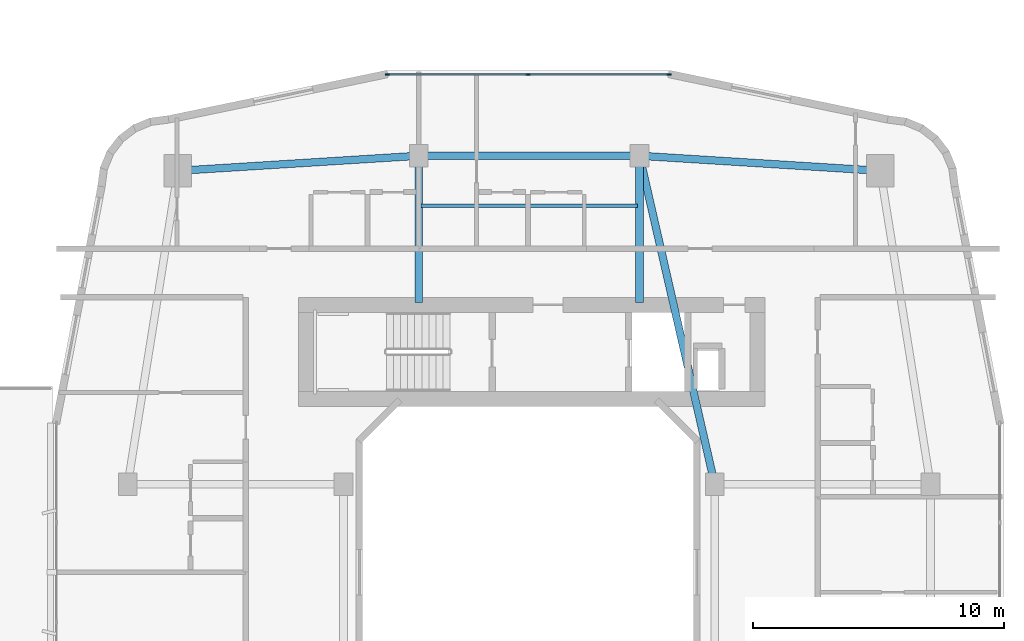
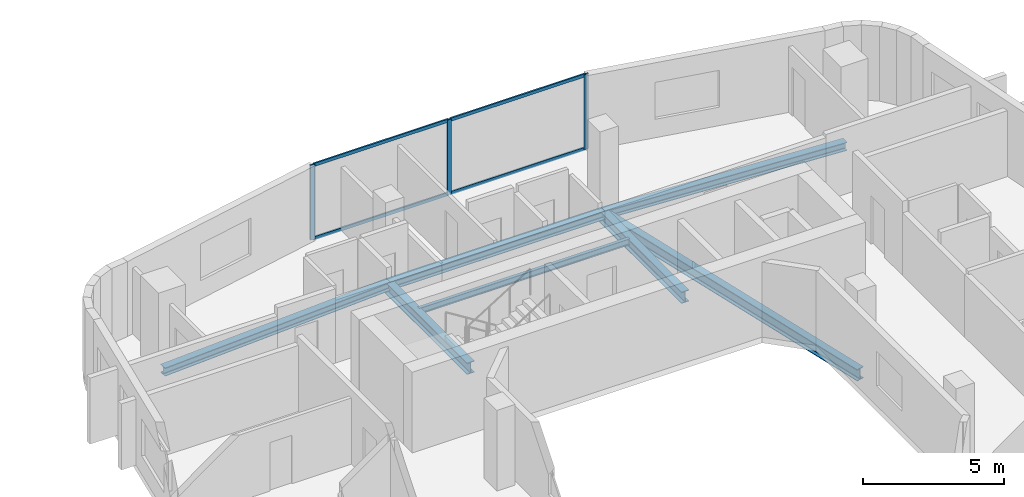
# One storey, part 10 of 25: 7 beams, 7 members, 1 element without a shape of its own.
"""IFC4 building model written with IfcOpenShell, lengths in metres."""

from ifc_helpers import new_model, si_unit, derived_unit, direction, frame, origin, origin_2d, place, context, subcontext, project, spatial, rectangle, i_section, extrude, material, layer, layer_set, material_profile, profile_set, type_object, element, aggregate, save


model = new_model("IFC4")

# Units and contexts
model_context = context("Model", 3, precision=1e-05, world=origin(), true_north=direction((0.0, 1.0)))
body_context = subcontext(model_context, "Body", "Model", "MODEL_VIEW")
ifc_project = project(units=[si_unit("LENGTHUNIT", "METRE"), si_unit("AREAUNIT", "SQUARE_METRE"), si_unit("VOLUMEUNIT", "CUBIC_METRE"), si_unit("PLANEANGLEUNIT", "RADIAN"), si_unit("MASSUNIT", "GRAM", prefix="KILO"), derived_unit("THERMALTRANSMITTANCEUNIT", [(si_unit("POWERUNIT", "WATT"), 1), (si_unit("LENGTHUNIT", "METRE"), -2), (si_unit("THERMODYNAMICTEMPERATUREUNIT", "KELVIN"), -1)])], contexts=[model_context])

# Site, building, storey
site_placement = place(None, origin())
site = spatial("IfcSite", under=ifc_project, at=site_placement, CompositionType="ELEMENT")
building_placement = place(site_placement, origin())
building = spatial("IfcBuilding", under=site, at=building_placement, Name="Kivonza Crest Hotel", CompositionType="ELEMENT")
storey_placement = place(building_placement, frame((0.0, 0.0, 24.0)))
storey = spatial("IfcBuildingStorey", under=building, at=storey_placement, Name="L05", CompositionType="ELEMENT", Elevation=24.0)

# Beams
ifc_material_1 = material(Name="Steel S355", Category="steel")
ifc_material_profile_1 = material_profile(ifc_material_1, i_section(OverallWidth=0.300048828125, OverallDepth=0.360107421875, WebThickness=0.012451171875, FlangeThickness=0.0224609375, FilletRadius=0.027099609375, at=origin_2d()), Name="HEB 360")
ifc_profile_set_1 = profile_set([ifc_material_profile_1], Name="Steel S355")
beam_type_1 = type_object("IfcBeamType", Name="BM-HEB360", PredefinedType="SPANDREL", material=ifc_profile_set_1)
beam_1_placement = place(storey_placement, frame((91.0, 41.0, -0.429931640625), z_axis=(-0.998051985873, 0.062387767186, 0.0), x_axis=(-0.062387767186, -0.998051985873, 0.0)))
element("IfcBeam", 1, at=beam_1_placement, inside=storey, type_object=beam_type_1, Name="Companion Tower T2 L05 perimeter spandrel NE-N2", PredefinedType="SPANDREL", context=body_context, shape_type="SweptSolid", body=[
    extrude(i_section(OverallWidth=0.300048828125, OverallDepth=0.360107421875, WebThickness=0.012451171875, FlangeThickness=0.0224609375, FilletRadius=0.027099609375, at=origin_2d()), origin(), (0.0, 0.0, 1.0), 9.618896484375),
])
beam_2_placement = place(storey_placement, frame((81.39990234375, 41.60009765625, -0.429931640625), z_axis=(-1.0, 0.0, 0.0), x_axis=(0.0, -1.0, 0.0)))
element("IfcBeam", 2, at=beam_2_placement, inside=storey, type_object=beam_type_1, Name="Companion Tower T2 L05 perimeter spandrel N2-N1", PredefinedType="SPANDREL", context=body_context, shape_type="SweptSolid", body=[
    extrude(i_section(OverallWidth=0.300048828125, OverallDepth=0.360107421875, WebThickness=0.012451171875, FlangeThickness=0.0224609375, FilletRadius=0.027099609375, at=origin_2d()), origin(), (0.0, 0.0, 1.0), 8.7998046875),
])
beam_3_placement = place(storey_placement, frame((72.60009765625, 41.60009765625, -0.429931640625), z_axis=(-0.998051985873, -0.062387767186, 0.0), x_axis=(0.062387767186, -0.998051985873, 0.0)))
element("IfcBeam", 3, at=beam_3_placement, inside=storey, type_object=beam_type_1, Name="Companion Tower T2 L05 perimeter spandrel N1-NW", PredefinedType="SPANDREL", context=body_context, shape_type="SweptSolid", body=[
    extrude(i_section(OverallWidth=0.300048828125, OverallDepth=0.360107421875, WebThickness=0.012451171875, FlangeThickness=0.0224609375, FilletRadius=0.027099609375, at=origin_2d()), origin(), (0.0, 0.0, 1.0), 9.618896484375),
])
ifc_material_profile_2 = material_profile(ifc_material_1, i_section(OverallWidth=0.300048828125, OverallDepth=0.5, WebThickness=0.014404296875, FlangeThickness=0.028076171875, FilletRadius=0.027099609375, at=origin_2d()), Name="HEB 500")
ifc_profile_set_2 = profile_set([ifc_material_profile_2], Name="Steel S355")
beam_type_2 = type_object("IfcBeamType", Name="BM-HEB500", PredefinedType="BEAM", material=ifc_profile_set_2)
beam_4_placement = place(storey_placement, frame((84.39990234375, 28.5, -0.5), z_axis=(-0.223227287589, 0.974766422317, 0.0), x_axis=(-0.974766422317, -0.223227287589, 0.0)))
element("IfcBeam", 4, at=beam_4_placement, inside=storey, type_object=beam_type_2, Name="Companion Tower T2 L05 girder WR2-N2", PredefinedType="BEAM", context=body_context, shape_type="SweptSolid", body=[
    extrude(i_section(OverallWidth=0.300048828125, OverallDepth=0.5, WebThickness=0.014404296875, FlangeThickness=0.028076171875, FilletRadius=0.027099609375, at=origin_2d()), origin(), (0.0, 0.0, 1.0), 13.439208984375),
])
for number, where, z_axis, x_axis, name in (
    (5, (72.60009765625, 41.60009765625, -0.5), (0.0, -1.0, 0.0), (1.0, 0.0, 0.0), "Companion T2 L05 radial core girder RN1"),
    (6, (81.39990234375, 41.60009765625, -0.5), (0.0, -1.0, 0.0), (1.0, 0.0, 0.0), "Companion T2 L05 radial core girder RN2"),
):
    element("IfcBeam", number, at=place(storey_placement, frame(where, z_axis=z_axis, x_axis=x_axis)), inside=storey, type_object=beam_type_2, Name=name, PredefinedType="BEAM", context=body_context, shape_type="SweptSolid", body=[
        extrude(i_section(OverallWidth=0.300048828125, OverallDepth=0.5, WebThickness=0.014404296875, FlangeThickness=0.028076171875, FilletRadius=0.027099609375, at=origin_2d()), origin(), (0.0, 0.0, 1.0), 5.85009765625),
    ])
ifc_material_profile_3 = material_profile(ifc_material_1, i_section(OverallWidth=0.135009765625, OverallDepth=0.27001953125, WebThickness=0.006591796875, FlangeThickness=0.01025390625, FilletRadius=0.014892578125, at=origin_2d()), Name="IPE 270")
ifc_profile_set_3 = profile_set([ifc_material_profile_3], Name="Steel S355")
beam_type_3 = type_object("IfcBeamType", Name="BM-IPE270", PredefinedType="JOIST", material=ifc_profile_set_3)
beam_5_placement = place(storey_placement, frame((72.679931640625, 39.60009765625, -0.385009765625), z_axis=(1.0, 0.0, 0.0), x_axis=(0.0, 1.0, 0.0)))
element("IfcBeam", 7, at=beam_5_placement, inside=storey, type_object=beam_type_3, Name="Companion Tower T2 L05 North floor joist", PredefinedType="JOIST", context=body_context, shape_type="SweptSolid", body=[
    extrude(i_section(OverallWidth=0.135009765625, OverallDepth=0.27001953125, WebThickness=0.006591796875, FlangeThickness=0.01025390625, FilletRadius=0.014892578125, at=origin_2d()), origin(), (0.0, 0.0, 1.0), 8.64013671875),
])

# Curtain wall, members
ifc_material_2 = material(Name="Anodised bronze aluminium and low-E double glazing", Category="aluminium")
ifc_layer = layer(ifc_material_2, 0.179931640625)
ifc_layer_set = layer_set([ifc_layer], Name="Anodised bronze aluminium and low-E double glazing")
curtain_wall_type = type_object("IfcCurtainWallType", Name="CW-SYS-4", PredefinedType="NOTDEFINED", material=ifc_layer_set)
curtain_wall_placement = place(storey_placement, origin())
curtain_wall = element("IfcCurtainWall", 8, at=curtain_wall_placement, inside=storey, type_object=curtain_wall_type, Name="L05 unitised curtain wall CW-T2-L05-26", PredefinedType="NOTDEFINED")
ifc_material_3 = material(Name="Anodised bronze aluminium", Category="aluminium")
ifc_material_profile_4 = material_profile(ifc_material_3, rectangle(XDim=0.06494140625, YDim=0.179931640625, at=origin_2d()), Name="CW-M 65x180")
ifc_profile_set_4 = profile_set([ifc_material_profile_4], Name="Anodised bronze aluminium")
member_type_1 = type_object("IfcMemberType", Name="CW-MUL-65x180", PredefinedType="MULLION", material=ifc_profile_set_4)
member_1_placement = place(storey_placement, frame((82.575439453125, 44.840087890625, 0.0), z_axis=(0.0, 0.0, 1.0), x_axis=(0.0, -1.0, 0.0)))
member_1 = element("IfcMember", 9, at=member_1_placement, type_object=member_type_1, Name="CW-4 mullion 1", PredefinedType="MULLION", context=body_context, shape_type="SweptSolid", body=[
    extrude(rectangle(XDim=0.06494140625, YDim=0.179931640625, at=origin_2d()), origin(), (0.0, 0.0, 1.0), 3.25),
])
member_2_placement = place(storey_placement, frame((76.9599609375, 44.840087890625, 0.0), z_axis=(0.0, 0.0, 1.0), x_axis=(0.0, -1.0, 0.0)))
member_2 = element("IfcMember", 10, at=member_2_placement, type_object=member_type_1, Name="CW-4 mullion 2", PredefinedType="MULLION", context=body_context, shape_type="SweptSolid", body=[
    extrude(rectangle(XDim=0.06494140625, YDim=0.179931640625, at=origin_2d()), origin(), (0.0, 0.0, 1.0), 3.25),
])
member_3_placement = place(storey_placement, frame((71.344482421875, 44.840087890625, 0.0), z_axis=(0.0, 0.0, 1.0), x_axis=(0.0, -1.0, 0.0)))
member_3 = element("IfcMember", 11, at=member_3_placement, type_object=member_type_1, Name="CW-4 mullion 3", PredefinedType="MULLION", context=body_context, shape_type="SweptSolid", body=[
    extrude(rectangle(XDim=0.06494140625, YDim=0.179931640625, at=origin_2d()), origin(), (0.0, 0.0, 1.0), 3.25),
])
ifc_material_profile_5 = material_profile(ifc_material_3, rectangle(XDim=0.06494140625, YDim=0.139892578125, at=origin_2d()), Name="CW-T 65x140")
ifc_profile_set_5 = profile_set([ifc_material_profile_5], Name="Anodised bronze aluminium")
member_type_2 = type_object("IfcMemberType", Name="CW-TRN-65x140", PredefinedType="USERDEFINED", material=ifc_profile_set_5)
member_4_placement = place(storey_placement, frame((82.54296875, 44.840087890625, 0.032470703125), z_axis=(-1.0, 0.0, 0.0), x_axis=(0.0, -1.0, 0.0)))
member_4 = element("IfcMember", 12, at=member_4_placement, type_object=member_type_2, Name="CW-4 transom 1.1", ObjectType="TRANSOM", PredefinedType="USERDEFINED", context=body_context, shape_type="SweptSolid", body=[
    extrude(rectangle(XDim=0.06494140625, YDim=0.139892578125, at=origin_2d()), origin(), (0.0, 0.0, 1.0), 5.550537109375),
])
member_5_placement = place(storey_placement, frame((82.54296875, 44.840087890625, 3.217529296875), z_axis=(-1.0, 0.0, 0.0), x_axis=(0.0, -1.0, 0.0)))
member_5 = element("IfcMember", 13, at=member_5_placement, type_object=member_type_2, Name="CW-4 transom 1.2", ObjectType="TRANSOM", PredefinedType="USERDEFINED", context=body_context, shape_type="SweptSolid", body=[
    extrude(rectangle(XDim=0.06494140625, YDim=0.139892578125, at=origin_2d()), origin(), (0.0, 0.0, 1.0), 5.550537109375),
])
member_6_placement = place(storey_placement, frame((76.927490234375, 44.840087890625, 0.032470703125), z_axis=(-1.0, 0.0, 0.0), x_axis=(0.0, -1.0, 0.0)))
member_6 = element("IfcMember", 14, at=member_6_placement, type_object=member_type_2, Name="CW-4 transom 2.1", ObjectType="TRANSOM", PredefinedType="USERDEFINED", context=body_context, shape_type="SweptSolid", body=[
    extrude(rectangle(XDim=0.06494140625, YDim=0.139892578125, at=origin_2d()), origin(), (0.0, 0.0, 1.0), 5.550537109375),
])
member_7_placement = place(storey_placement, frame((76.927490234375, 44.840087890625, 3.217529296875), z_axis=(-1.0, 0.0, 0.0), x_axis=(0.0, -1.0, 0.0)))
member_7 = element("IfcMember", 15, at=member_7_placement, type_object=member_type_2, Name="CW-4 transom 2.2", ObjectType="TRANSOM", PredefinedType="USERDEFINED", context=body_context, shape_type="SweptSolid", body=[
    extrude(rectangle(XDim=0.06494140625, YDim=0.139892578125, at=origin_2d()), origin(), (0.0, 0.0, 1.0), 5.550537109375),
])
aggregate(curtain_wall, [member_1, member_2, member_3, member_4, member_5, member_6, member_7])

save(model, "model.ifc")
